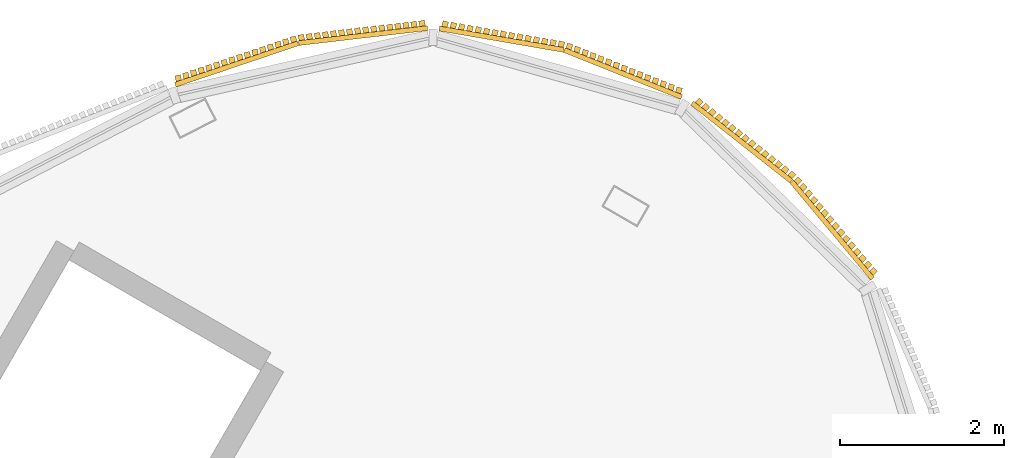
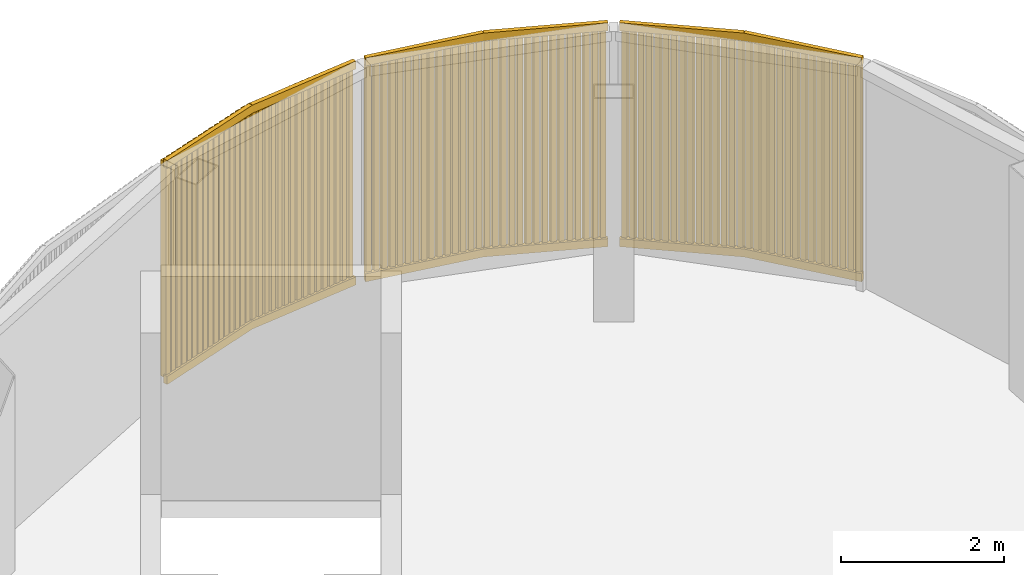
# One storey, part 16 of 16: 3 coverings.
"""IFC4 building model written with IfcOpenShell, lengths in metres."""

from ifc_helpers import new_model, si_unit, direction, frame, frame_2d, origin, place, context, subcontext, project, spatial, rectangle, extrude, source, transform, mapped, material, type_object, element, save


model = new_model("IFC4")

# Units and contexts
model_context = context("Model", 3, precision=1e-05, world=origin(), true_north=direction((0.0, 1.0)))
body_context = subcontext(model_context, "Body", "Model", "MODEL_VIEW")
ifc_project = project(units=[si_unit("LENGTHUNIT", "METRE"), si_unit("AREAUNIT", "SQUARE_METRE"), si_unit("VOLUMEUNIT", "CUBIC_METRE"), si_unit("PLANEANGLEUNIT", "RADIAN"), si_unit("MASSUNIT", "GRAM", prefix="KILO")], contexts=[model_context])

# Site, building, storey
site_placement = place(None, origin())
site = spatial("IfcSite", under=ifc_project, at=site_placement, CompositionType="ELEMENT")
building_placement = place(site_placement, origin())
building = spatial("IfcBuilding", under=site, at=building_placement, Name="Tamra Quay Hotel Tower", CompositionType="ELEMENT")
storey_placement = place(building_placement, frame((0.0, 0.0, 327.800048828125)))
storey = spatial("IfcBuildingStorey", under=building, at=storey_placement, Name="Roof crown 3", CompositionType="ELEMENT", Elevation=327.800048828125)

# Coverings
ifc_material = material(Name="Terracotta baguette extruded", Category="masonry")
covering_type = type_object("IfcCoveringType", Name="BAGUETTE SCREEN CROWN H3350", PredefinedType="USERDEFINED", material=ifc_material)
shared_shape_1 = source(origin(), body_context, "Body", "SweptSolid", [
    extrude(rectangle(XDim=1.5810546875, YDim=0.06005859375, at=frame_2d((0.79052734375, 0.030029296875))), frame((-1.578857421875, -0.0576171875, -0.1201171875), z_axis=(0.0, 0.0, 1.0), x_axis=(0.994521895368, -0.104528463268, 0.0)), (0.0, 0.0, 1.0), 0.1201171875),
    extrude(rectangle(XDim=1.5810546875, YDim=0.06005859375, at=frame_2d((0.79052734375, 0.030029296875))), frame((-1.578857421875, -0.0576171875, -3.35009765625), z_axis=(0.0, 0.0, 1.0), x_axis=(0.994521895368, -0.104528463268, 0.0)), (0.0, 0.0, 1.0), 0.1201171875),
    extrude(rectangle(XDim=0.070068359375, YDim=0.10009765625, at=frame_2d((0.03515625, 0.050048828125))), frame((-1.558349609375, -0.133056640625, -3.2900390625)), (0.0, 0.0, 1.0), 3.22998046875),
    extrude(rectangle(XDim=0.070068359375, YDim=0.10009765625, at=frame_2d((0.03515625, 0.050048828125))), frame((-1.4599609375, -0.1435546875, -3.2900390625)), (0.0, 0.0, 1.0), 3.22998046875),
    extrude(rectangle(XDim=0.070068359375, YDim=0.10009765625, at=frame_2d((0.03515625, 0.050048828125))), frame((-1.36181640625, -0.15380859375, -3.2900390625)), (0.0, 0.0, 1.0), 3.22998046875),
    extrude(rectangle(XDim=0.070068359375, YDim=0.10009765625, at=frame_2d((0.03515625, 0.050048828125))), frame((-1.263427734375, -0.1640625, -3.2900390625)), (0.0, 0.0, 1.0), 3.22998046875),
    extrude(rectangle(XDim=0.070068359375, YDim=0.10009765625, at=frame_2d((0.03515625, 0.050048828125))), frame((-1.165283203125, -0.174560546875, -3.2900390625)), (0.0, 0.0, 1.0), 3.22998046875),
    extrude(rectangle(XDim=0.070068359375, YDim=0.10009765625, at=frame_2d((0.03515625, 0.050048828125))), frame((-1.06689453125, -0.184814453125, -3.2900390625)), (0.0, 0.0, 1.0), 3.22998046875),
    extrude(rectangle(XDim=0.070068359375, YDim=0.10009765625, at=frame_2d((0.03515625, 0.050048828125))), frame((-0.96875, -0.195068359375, -3.2900390625)), (0.0, 0.0, 1.0), 3.22998046875),
    extrude(rectangle(XDim=0.070068359375, YDim=0.10009765625, at=frame_2d((0.03515625, 0.050048828125))), frame((-0.870361328125, -0.20556640625, -3.2900390625)), (0.0, 0.0, 1.0), 3.22998046875),
    extrude(rectangle(XDim=0.070068359375, YDim=0.10009765625, at=frame_2d((0.03515625, 0.050048828125))), frame((-0.772216796875, -0.2158203125, -3.2900390625)), (0.0, 0.0, 1.0), 3.22998046875),
    extrude(rectangle(XDim=0.070068359375, YDim=0.10009765625, at=frame_2d((0.03515625, 0.050048828125))), frame((-0.673828125, -0.22607421875, -3.2900390625)), (0.0, 0.0, 1.0), 3.22998046875),
    extrude(rectangle(XDim=0.070068359375, YDim=0.10009765625, at=frame_2d((0.03515625, 0.050048828125))), frame((-0.575439453125, -0.236572265625, -3.2900390625)), (0.0, 0.0, 1.0), 3.22998046875),
    extrude(rectangle(XDim=0.070068359375, YDim=0.10009765625, at=frame_2d((0.03515625, 0.050048828125))), frame((-0.477294921875, -0.246826171875, -3.2900390625)), (0.0, 0.0, 1.0), 3.22998046875),
    extrude(rectangle(XDim=0.070068359375, YDim=0.10009765625, at=frame_2d((0.03515625, 0.050048828125))), frame((-0.37890625, -0.257080078125, -3.2900390625)), (0.0, 0.0, 1.0), 3.22998046875),
    extrude(rectangle(XDim=0.070068359375, YDim=0.10009765625, at=frame_2d((0.03515625, 0.050048828125))), frame((-0.28076171875, -0.267333984375, -3.2900390625)), (0.0, 0.0, 1.0), 3.22998046875),
    extrude(rectangle(XDim=0.070068359375, YDim=0.10009765625, at=frame_2d((0.03515625, 0.050048828125))), frame((-0.182373046875, -0.27783203125, -3.2900390625)), (0.0, 0.0, 1.0), 3.22998046875),
    extrude(rectangle(XDim=0.070068359375, YDim=0.10009765625, at=frame_2d((0.03515625, 0.050048828125))), frame((-0.084228515625, -0.2880859375, -3.2900390625)), (0.0, 0.0, 1.0), 3.22998046875),
    extrude(rectangle(XDim=1.5810546875, YDim=0.06005859375, at=frame_2d((0.79052734375, 0.030029296875))), frame((0.00634765625, -0.222900390625, -0.1201171875), z_axis=(0.0, 0.0, 1.0), x_axis=(0.994521895368, 0.104528463268, 0.0)), (0.0, 0.0, 1.0), 0.1201171875),
    extrude(rectangle(XDim=1.5810546875, YDim=0.06005859375, at=frame_2d((0.79052734375, 0.030029296875))), frame((0.00634765625, -0.222900390625, -3.35009765625), z_axis=(0.0, 0.0, 1.0), x_axis=(0.994521895368, 0.104528463268, 0.0)), (0.0, 0.0, 1.0), 0.1201171875),
    extrude(rectangle(XDim=0.070068359375, YDim=0.10009765625, at=frame_2d((0.03515625, 0.050048828125))), frame((0.01416015625, -0.2880859375, -3.2900390625)), (0.0, 0.0, 1.0), 3.22998046875),
    extrude(rectangle(XDim=0.070068359375, YDim=0.10009765625, at=frame_2d((0.03515625, 0.050048828125))), frame((0.1123046875, -0.27783203125, -3.2900390625)), (0.0, 0.0, 1.0), 3.22998046875),
    extrude(rectangle(XDim=0.070068359375, YDim=0.10009765625, at=frame_2d((0.03515625, 0.050048828125))), frame((0.210693359375, -0.267333984375, -3.2900390625)), (0.0, 0.0, 1.0), 3.22998046875),
    extrude(rectangle(XDim=0.070068359375, YDim=0.10009765625, at=frame_2d((0.03515625, 0.050048828125))), frame((0.30908203125, -0.257080078125, -3.2900390625)), (0.0, 0.0, 1.0), 3.22998046875),
    extrude(rectangle(XDim=0.070068359375, YDim=0.10009765625, at=frame_2d((0.03515625, 0.050048828125))), frame((0.4072265625, -0.246826171875, -3.2900390625)), (0.0, 0.0, 1.0), 3.22998046875),
    extrude(rectangle(XDim=0.070068359375, YDim=0.10009765625, at=frame_2d((0.03515625, 0.050048828125))), frame((0.505615234375, -0.236572265625, -3.2900390625)), (0.0, 0.0, 1.0), 3.22998046875),
    extrude(rectangle(XDim=0.070068359375, YDim=0.10009765625, at=frame_2d((0.03515625, 0.050048828125))), frame((0.603759765625, -0.22607421875, -3.2900390625)), (0.0, 0.0, 1.0), 3.22998046875),
    extrude(rectangle(XDim=0.070068359375, YDim=0.10009765625, at=frame_2d((0.03515625, 0.050048828125))), frame((0.7021484375, -0.2158203125, -3.2900390625)), (0.0, 0.0, 1.0), 3.22998046875),
    extrude(rectangle(XDim=0.070068359375, YDim=0.10009765625, at=frame_2d((0.03515625, 0.050048828125))), frame((0.80029296875, -0.20556640625, -3.2900390625)), (0.0, 0.0, 1.0), 3.22998046875),
    extrude(rectangle(XDim=0.070068359375, YDim=0.10009765625, at=frame_2d((0.03515625, 0.050048828125))), frame((0.898681640625, -0.195068359375, -3.2900390625)), (0.0, 0.0, 1.0), 3.22998046875),
    extrude(rectangle(XDim=0.070068359375, YDim=0.10009765625, at=frame_2d((0.03515625, 0.050048828125))), frame((0.9970703125, -0.184814453125, -3.2900390625)), (0.0, 0.0, 1.0), 3.22998046875),
    extrude(rectangle(XDim=0.070068359375, YDim=0.10009765625, at=frame_2d((0.03515625, 0.050048828125))), frame((1.09521484375, -0.174560546875, -3.2900390625)), (0.0, 0.0, 1.0), 3.22998046875),
    extrude(rectangle(XDim=0.070068359375, YDim=0.10009765625, at=frame_2d((0.03515625, 0.050048828125))), frame((1.193603515625, -0.1640625, -3.2900390625)), (0.0, 0.0, 1.0), 3.22998046875),
    extrude(rectangle(XDim=0.070068359375, YDim=0.10009765625, at=frame_2d((0.03515625, 0.050048828125))), frame((1.291748046875, -0.15380859375, -3.2900390625)), (0.0, 0.0, 1.0), 3.22998046875),
    extrude(rectangle(XDim=0.070068359375, YDim=0.10009765625, at=frame_2d((0.03515625, 0.050048828125))), frame((1.39013671875, -0.1435546875, -3.2900390625)), (0.0, 0.0, 1.0), 3.22998046875),
    extrude(rectangle(XDim=0.070068359375, YDim=0.10009765625, at=frame_2d((0.03515625, 0.050048828125))), frame((1.48828125, -0.133056640625, -3.2900390625)), (0.0, 0.0, 1.0), 3.22998046875),
])
covering_placement = place(storey_placement, frame((7.689697265625, 21.952392578125, 3.349853515625), z_axis=(0.0, 0.0, 1.0), x_axis=(-0.975768325721, -0.218806248814, 0.0)))
element("IfcCovering", 1, at=covering_placement, inside=storey, type_object=covering_type, Name="Baguette screen Roof crown 3.A.f04", ObjectType="BAGUETTE SCREEN", PredefinedType="USERDEFINED", context=body_context, shape_type="MappedRepresentation", body=[
    mapped(shared_shape_1, transform((0.0, 0.0, 0.0), scale=1.0)),
])
shared_shape_2 = source(origin(), body_context, "Body", "SweptSolid", [
    extrude(rectangle(XDim=1.541015625, YDim=0.06005859375, at=frame_2d((0.7705078125, 0.030029296875))), frame((-1.538818359375, -0.0576171875, -0.1201171875), z_axis=(0.0, 0.0, 1.0), x_axis=(0.994521895368, -0.104528463268, 0.0)), (0.0, 0.0, 1.0), 0.1201171875),
    extrude(rectangle(XDim=1.541015625, YDim=0.06005859375, at=frame_2d((0.7705078125, 0.030029296875))), frame((-1.538818359375, -0.0576171875, -3.35009765625), z_axis=(0.0, 0.0, 1.0), x_axis=(0.994521895368, -0.104528463268, 0.0)), (0.0, 0.0, 1.0), 0.1201171875),
    extrude(rectangle(XDim=0.070068359375, YDim=0.10009765625, at=frame_2d((0.03515625, 0.050048828125))), frame((-1.516357421875, -0.13330078125, -3.2900390625)), (0.0, 0.0, 1.0), 3.22998046875),
    extrude(rectangle(XDim=0.070068359375, YDim=0.10009765625, at=frame_2d((0.03515625, 0.050048828125))), frame((-1.414306640625, -0.14404296875, -3.2900390625)), (0.0, 0.0, 1.0), 3.22998046875),
    extrude(rectangle(XDim=0.070068359375, YDim=0.10009765625, at=frame_2d((0.03515625, 0.050048828125))), frame((-1.31201171875, -0.15478515625, -3.2900390625)), (0.0, 0.0, 1.0), 3.22998046875),
    extrude(rectangle(XDim=0.070068359375, YDim=0.10009765625, at=frame_2d((0.03515625, 0.050048828125))), frame((-1.2099609375, -0.16552734375, -3.2900390625)), (0.0, 0.0, 1.0), 3.22998046875),
    extrude(rectangle(XDim=0.070068359375, YDim=0.10009765625, at=frame_2d((0.03515625, 0.050048828125))), frame((-1.107666015625, -0.17626953125, -3.2900390625)), (0.0, 0.0, 1.0), 3.22998046875),
    extrude(rectangle(XDim=0.070068359375, YDim=0.10009765625, at=frame_2d((0.03515625, 0.050048828125))), frame((-1.005615234375, -0.18701171875, -3.2900390625)), (0.0, 0.0, 1.0), 3.22998046875),
    extrude(rectangle(XDim=0.070068359375, YDim=0.10009765625, at=frame_2d((0.03515625, 0.050048828125))), frame((-0.9033203125, -0.19775390625, -3.2900390625)), (0.0, 0.0, 1.0), 3.22998046875),
    extrude(rectangle(XDim=0.070068359375, YDim=0.10009765625, at=frame_2d((0.03515625, 0.050048828125))), frame((-0.80126953125, -0.20849609375, -3.2900390625)), (0.0, 0.0, 1.0), 3.22998046875),
    extrude(rectangle(XDim=0.070068359375, YDim=0.10009765625, at=frame_2d((0.03515625, 0.050048828125))), frame((-0.698974609375, -0.21923828125, -3.2900390625)), (0.0, 0.0, 1.0), 3.22998046875),
    extrude(rectangle(XDim=0.070068359375, YDim=0.10009765625, at=frame_2d((0.03515625, 0.050048828125))), frame((-0.596923828125, -0.22998046875, -3.2900390625)), (0.0, 0.0, 1.0), 3.22998046875),
    extrude(rectangle(XDim=0.070068359375, YDim=0.10009765625, at=frame_2d((0.03515625, 0.050048828125))), frame((-0.49462890625, -0.24072265625, -3.2900390625)), (0.0, 0.0, 1.0), 3.22998046875),
    extrude(rectangle(XDim=0.070068359375, YDim=0.10009765625, at=frame_2d((0.03515625, 0.050048828125))), frame((-0.392578125, -0.25146484375, -3.2900390625)), (0.0, 0.0, 1.0), 3.22998046875),
    extrude(rectangle(XDim=0.070068359375, YDim=0.10009765625, at=frame_2d((0.03515625, 0.050048828125))), frame((-0.29052734375, -0.26220703125, -3.2900390625)), (0.0, 0.0, 1.0), 3.22998046875),
    extrude(rectangle(XDim=0.070068359375, YDim=0.10009765625, at=frame_2d((0.03515625, 0.050048828125))), frame((-0.188232421875, -0.27294921875, -3.2900390625)), (0.0, 0.0, 1.0), 3.22998046875),
    extrude(rectangle(XDim=0.070068359375, YDim=0.10009765625, at=frame_2d((0.03515625, 0.050048828125))), frame((-0.086181640625, -0.28369140625, -3.2900390625)), (0.0, 0.0, 1.0), 3.22998046875),
    extrude(rectangle(XDim=1.541015625, YDim=0.06005859375, at=frame_2d((0.7705078125, 0.030029296875))), frame((0.00634765625, -0.21875, -0.1201171875), z_axis=(0.0, 0.0, 1.0), x_axis=(0.994521895368, 0.104528463268, 0.0)), (0.0, 0.0, 1.0), 0.1201171875),
    extrude(rectangle(XDim=1.541015625, YDim=0.06005859375, at=frame_2d((0.7705078125, 0.030029296875))), frame((0.00634765625, -0.21875, -3.35009765625), z_axis=(0.0, 0.0, 1.0), x_axis=(0.994521895368, 0.104528463268, 0.0)), (0.0, 0.0, 1.0), 0.1201171875),
    extrude(rectangle(XDim=0.070068359375, YDim=0.10009765625, at=frame_2d((0.03515625, 0.050048828125))), frame((0.01611328125, -0.28369140625, -3.2900390625)), (0.0, 0.0, 1.0), 3.22998046875),
    extrude(rectangle(XDim=0.070068359375, YDim=0.10009765625, at=frame_2d((0.03515625, 0.050048828125))), frame((0.1181640625, -0.27294921875, -3.2900390625)), (0.0, 0.0, 1.0), 3.22998046875),
    extrude(rectangle(XDim=0.070068359375, YDim=0.10009765625, at=frame_2d((0.03515625, 0.050048828125))), frame((0.220458984375, -0.26220703125, -3.2900390625)), (0.0, 0.0, 1.0), 3.22998046875),
    extrude(rectangle(XDim=0.070068359375, YDim=0.10009765625, at=frame_2d((0.03515625, 0.050048828125))), frame((0.322509765625, -0.25146484375, -3.2900390625)), (0.0, 0.0, 1.0), 3.22998046875),
    extrude(rectangle(XDim=0.070068359375, YDim=0.10009765625, at=frame_2d((0.03515625, 0.050048828125))), frame((0.4248046875, -0.24072265625, -3.2900390625)), (0.0, 0.0, 1.0), 3.22998046875),
    extrude(rectangle(XDim=0.070068359375, YDim=0.10009765625, at=frame_2d((0.03515625, 0.050048828125))), frame((0.52685546875, -0.22998046875, -3.2900390625)), (0.0, 0.0, 1.0), 3.22998046875),
    extrude(rectangle(XDim=0.070068359375, YDim=0.10009765625, at=frame_2d((0.03515625, 0.050048828125))), frame((0.629150390625, -0.21923828125, -3.2900390625)), (0.0, 0.0, 1.0), 3.22998046875),
    extrude(rectangle(XDim=0.070068359375, YDim=0.10009765625, at=frame_2d((0.03515625, 0.050048828125))), frame((0.731201171875, -0.20849609375, -3.2900390625)), (0.0, 0.0, 1.0), 3.22998046875),
    extrude(rectangle(XDim=0.070068359375, YDim=0.10009765625, at=frame_2d((0.03515625, 0.050048828125))), frame((0.83349609375, -0.19775390625, -3.2900390625)), (0.0, 0.0, 1.0), 3.22998046875),
    extrude(rectangle(XDim=0.070068359375, YDim=0.10009765625, at=frame_2d((0.03515625, 0.050048828125))), frame((0.935546875, -0.18701171875, -3.2900390625)), (0.0, 0.0, 1.0), 3.22998046875),
    extrude(rectangle(XDim=0.070068359375, YDim=0.10009765625, at=frame_2d((0.03515625, 0.050048828125))), frame((1.037841796875, -0.17626953125, -3.2900390625)), (0.0, 0.0, 1.0), 3.22998046875),
    extrude(rectangle(XDim=0.070068359375, YDim=0.10009765625, at=frame_2d((0.03515625, 0.050048828125))), frame((1.139892578125, -0.16552734375, -3.2900390625)), (0.0, 0.0, 1.0), 3.22998046875),
    extrude(rectangle(XDim=0.070068359375, YDim=0.10009765625, at=frame_2d((0.03515625, 0.050048828125))), frame((1.2421875, -0.15478515625, -3.2900390625)), (0.0, 0.0, 1.0), 3.22998046875),
    extrude(rectangle(XDim=0.070068359375, YDim=0.10009765625, at=frame_2d((0.03515625, 0.050048828125))), frame((1.34423828125, -0.14404296875, -3.2900390625)), (0.0, 0.0, 1.0), 3.22998046875),
    extrude(rectangle(XDim=0.070068359375, YDim=0.10009765625, at=frame_2d((0.03515625, 0.050048828125))), frame((1.446533203125, -0.13330078125, -3.2900390625)), (0.0, 0.0, 1.0), 3.22998046875),
])
for number, where, z_axis, x_axis, name in (
    (2, (13.52734375, 20.320556640625, 3.349853515625), (0.0, 0.0, 1.0), (-0.716752699854, 0.69732744622, 0.0), "Baguette screen Roof crown 3.A.f02"),
    (3, (10.83447265625, 21.875244140625, 3.349853515625), (0.0, 0.0, 1.0), (-0.96227963311, 0.272062323195, 0.0), "Baguette screen Roof crown 3.A.f03"),
):
    element("IfcCovering", number, at=place(storey_placement, frame(where, z_axis=z_axis, x_axis=x_axis)), inside=storey, type_object=covering_type, Name=name, ObjectType="BAGUETTE SCREEN", PredefinedType="USERDEFINED", context=body_context, shape_type="MappedRepresentation", body=[
        mapped(shared_shape_2, transform((0.0, 0.0, 0.0), scale=1.0)),
    ])

save(model, "model.ifc")
